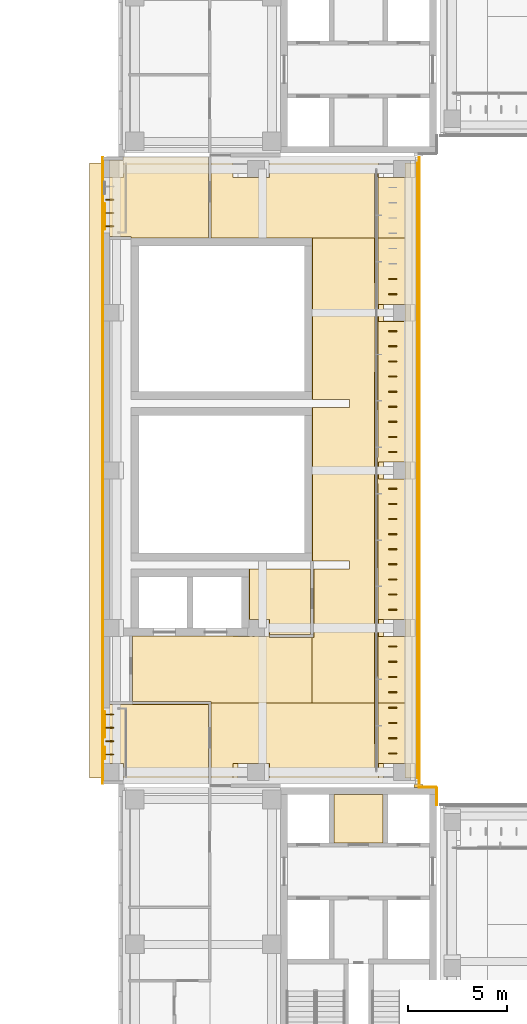
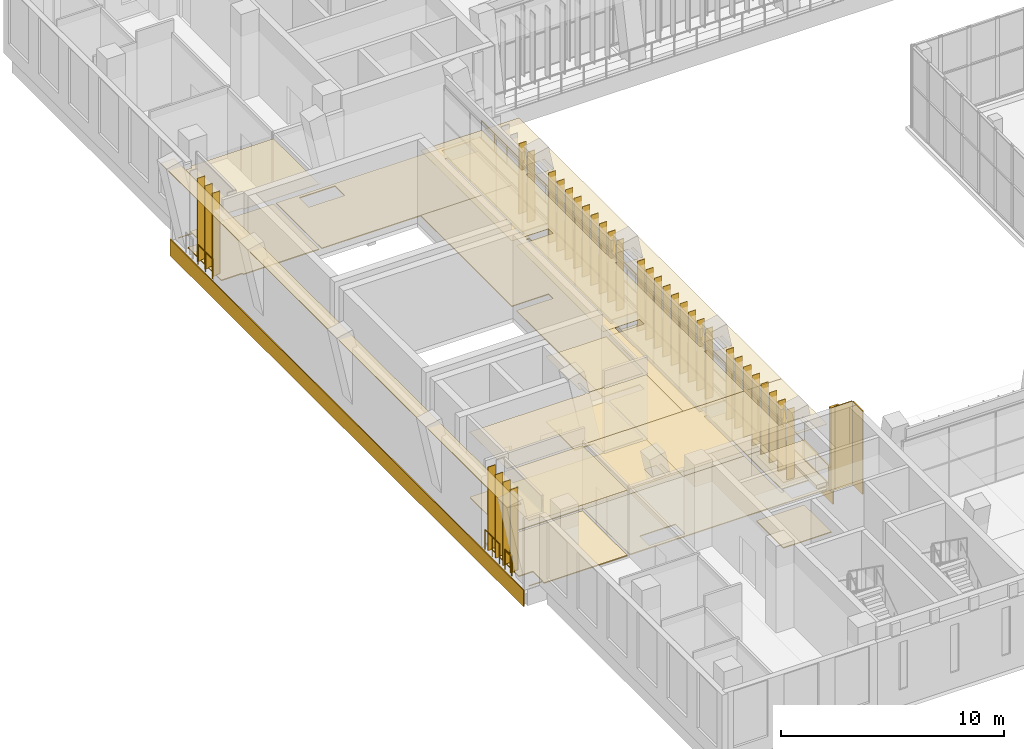
# One storey, part 79 of 92: 35 shading devices, 22 coverings, 4 railings.
"""IFC4 building model written with IfcOpenShell, lengths in metres."""

from ifc_helpers import new_model, si_unit, direction, frame, frame_2d, origin, origin_2d, place, context, subcontext, project, spatial, polyline, rectangle, circle, outline, extrude, material, layer, layer_set, type_object, element, save


model = new_model("IFC4")

# Units and contexts
model_context = context("Model", 3, precision=1e-05, world=origin(), true_north=direction((0.0, 1.0)))
body_context = subcontext(model_context, "Body", "Model", "MODEL_VIEW")
ifc_project = project(units=[si_unit("LENGTHUNIT", "METRE"), si_unit("AREAUNIT", "SQUARE_METRE"), si_unit("VOLUMEUNIT", "CUBIC_METRE"), si_unit("PLANEANGLEUNIT", "RADIAN"), si_unit("MASSUNIT", "GRAM", prefix="KILO")], contexts=[model_context])

# Site, building, storey
site_placement = place(None, origin())
site = spatial("IfcSite", under=ifc_project, at=site_placement, CompositionType="ELEMENT")
building_placement = place(site_placement, origin())
building = spatial("IfcBuilding", under=site, at=building_placement, Name="Lantern Court Media Centre", CompositionType="ELEMENT")
storey_placement = place(building_placement, frame((0.0, 0.0, 4.800048828125)))
storey = spatial("IfcBuildingStorey", under=building, at=storey_placement, Name="L01", CompositionType="ELEMENT", Elevation=4.800048828125)

# Coverings
ifc_material_1 = material(Name="Carpet")
ifc_layer_1 = layer(ifc_material_1, 0.050048828125)
ifc_layer_set_1 = layer_set([ifc_layer_1], Name="Carpet")
covering_type_1 = type_object("IfcCoveringType", Name="Carpet floor finish", PredefinedType="FLOORING", material=ifc_layer_set_1)
covering_1_placement = place(storey_placement, origin())
element("IfcCovering", 1, at=covering_1_placement, inside=storey, type_object=covering_type_1, Name="Projection Room Screen 3 floor finish", PredefinedType="FLOORING", context=body_context, shape_type="SweptSolid", body=[
    extrude(outline(polyline([(7.300048828125, 65.1298828125), (7.304931640625, 68.114990234375), (8.47998046875, 68.114990234375), (8.485107421875, 68.132568359375), (12.33251953125, 68.132568359375), (12.33251953125, 64.10009765625), (8.0048828125, 64.10009765625), (8.0009765625, 64.244873046875), (7.300048828125, 64.2451171875), (7.300048828125, 64.27001953125), (8.030029296875, 64.27490234375), (8.02880859375, 65.128173828125), (7.300048828125, 65.1298828125)])), origin(), (0.0, 0.0, 1.0), 0.050048828125),
])
covering_2_placement = place(storey_placement, origin())
element("IfcCovering", 2, at=covering_2_placement, inside=storey, type_object=covering_type_1, Name="Projection Room Screen 4 floor finish", PredefinedType="FLOORING", context=body_context, shape_type="SweptSolid", body=[
    extrude(outline(polyline([(12.33251953125, 95.89990234375), (12.33251953125, 91.804931640625), (8.405029296875, 91.804931640625), (8.400390625, 91.885009765625), (7.304931640625, 91.885009765625), (7.300048828125, 94.8701171875), (8.02880859375, 94.871826171875), (8.030029296875, 95.72509765625), (7.300048828125, 95.72998046875), (7.300048828125, 95.7548828125), (8.0009765625, 95.755126953125), (8.0048828125, 95.89990234375), (12.33251953125, 95.89990234375)])), origin(), (0.0, 0.0, 1.0), 0.050048828125),
])
ifc_material_2 = material(Name="Ceramic tile")
ifc_layer_2 = layer(ifc_material_2, 0.050048828125)
ifc_layer_set_2 = layer_set([ifc_layer_2], Name="Ceramic tile")
covering_type_2 = type_object("IfcCoveringType", Name="Ceramic tile floor finish", PredefinedType="FLOORING", material=ifc_layer_set_2)
covering_3_placement = place(storey_placement, origin())
element("IfcCovering", 3, at=covering_3_placement, inside=storey, type_object=covering_type_2, Name="Accessible WC floor finish", PredefinedType="FLOORING", context=body_context, shape_type="SweptSolid", body=[
    extrude(outline(polyline([(17.52001953125, 75.0), (17.52001953125, 71.679931640625), (15.429931640625, 71.679931640625), (15.427734375, 72.42919921875), (14.405029296875, 72.429931640625), (14.405029296875, 75.0), (17.52001953125, 75.0)])), origin(), (0.0, 0.0, 1.0), 0.050048828125),
])
covering_4_placement = place(storey_placement, origin())
element("IfcCovering", 4, at=covering_4_placement, inside=storey, type_object=covering_type_2, Name="Accessible WC floor finish", PredefinedType="FLOORING", context=body_context, shape_type="SweptSolid", body=[
    extrude(outline(polyline([(21.195068359375, 61.10498046875), (18.705078125, 61.10498046875), (18.705078125, 63.544921875), (21.195068359375, 63.544921875), (21.195068359375, 61.10498046875)])), origin(), (0.0, 0.0, 1.0), 0.050048828125),
])

# Railings
ifc_material_3 = material(Name="Powder-coated steel", Category="steel")
railing_type_1 = type_object("IfcRailingType", Name="Floor edge guard 1100", PredefinedType="GUARDRAIL", material=ifc_material_3)
railing_1_placement = place(storey_placement, frame((7.06005859375, 65.35888671875, 0.0)))
element("IfcRailing", 5, at=railing_1_placement, inside=storey, type_object=railing_type_1, Name="L01 edge guard 4", PredefinedType="GUARDRAIL", context=body_context, shape_type="SweptSolid", body=[
    extrude(circle(Radius=0.02392578125, at=origin_2d()), frame((0.0, 0.0, 1.076171875), z_axis=(0.0, 1.0, 0.0), x_axis=(-1.0, 0.0, 0.0)), (0.0, 0.0, 1.0), 0.59912109375),
    extrude(circle(Radius=0.02099609375, at=origin_2d()), origin(), (0.0, 0.0, 1.0), 1.052001953125),
    extrude(circle(Radius=0.02099609375, at=origin_2d()), frame((0.0, 0.59912109375, 0.0)), (0.0, 0.0, 1.0), 1.052001953125),
])
railing_2_placement = place(storey_placement, frame((7.06005859375, 66.4580078125, 0.0)))
element("IfcRailing", 6, at=railing_2_placement, inside=storey, type_object=railing_type_1, Name="L01 edge guard 5", PredefinedType="GUARDRAIL", context=body_context, shape_type="SweptSolid", body=[
    extrude(circle(Radius=0.02392578125, at=origin_2d()), frame((0.0, 0.0, 1.076171875), z_axis=(0.0, 1.0, 0.0), x_axis=(-1.0, 0.0, 0.0)), (0.0, 0.0, 1.0), 1.299072265625),
    extrude(circle(Radius=0.02099609375, at=origin_2d()), origin(), (0.0, 0.0, 1.0), 1.052001953125),
    extrude(circle(Radius=0.02099609375, at=origin_2d()), frame((0.0, 0.6494140625, 0.0)), (0.0, 0.0, 1.0), 1.052001953125),
    extrude(circle(Radius=0.02099609375, at=origin_2d()), frame((0.0, 1.299072265625, 0.0)), (0.0, 0.0, 1.0), 1.052001953125),
])
railing_3_placement = place(storey_placement, frame((7.06005859375, 92.236083984375, 0.0)))
element("IfcRailing", 7, at=railing_3_placement, inside=storey, type_object=railing_type_1, Name="L01 edge guard 6", PredefinedType="GUARDRAIL", context=body_context, shape_type="SweptSolid", body=[
    extrude(circle(Radius=0.02392578125, at=origin_2d()), frame((0.0, 0.0, 1.076171875), z_axis=(0.0, 1.0, 0.0), x_axis=(-1.0, 0.0, 0.0)), (0.0, 0.0, 1.0), 1.298828125),
    extrude(circle(Radius=0.02099609375, at=origin_2d()), origin(), (0.0, 0.0, 1.0), 1.052001953125),
    extrude(circle(Radius=0.02099609375, at=origin_2d()), frame((0.0, 0.6494140625, 0.0)), (0.0, 0.0, 1.0), 1.052001953125),
    extrude(circle(Radius=0.02099609375, at=origin_2d()), frame((0.0, 1.298828125, 0.0)), (0.0, 0.0, 1.0), 1.052001953125),
])

# Coverings
ifc_material_4 = material(Name="White glass-fibre reinforced cement cladding", Category="concrete")
ifc_layer_3 = layer(ifc_material_4, 0.050048828125)
ifc_layer_set_3 = layer_set([ifc_layer_3], Name="White glass-fibre reinforced cement cladding")
covering_type_3 = type_object("IfcCoveringType", Name="Floor-edge band 50", PredefinedType="CLADDING", material=ifc_layer_set_3)
for number, where, z_axis, x_axis, name in (
    (8, (6.97509765625, 64.10009765625, -0.900146484375), (0.0, 0.0, 1.0), (0.0, 1.0, 0.0), "Floor-edge band W outer L01"),
    (9, (23.02490234375, 64.10009765625, -0.900146484375), (0.0, 0.0, 1.0), (0.0, 1.0, 0.0), "Floor-edge band W inner L01"),
):
    element("IfcCovering", number, at=place(storey_placement, frame(where, z_axis=z_axis, x_axis=x_axis)), inside=storey, type_object=covering_type_3, Name=name, PredefinedType="CLADDING", context=body_context, shape_type="SweptSolid", body=[
        extrude(rectangle(XDim=31.7998046875, YDim=0.050048828125, at=frame_2d((15.89990234375, 0.0))), origin(), (0.0, 0.0, 1.0), 0.900146484375),
    ])

# Railing
ifc_material_5 = material(Name="Painted mild steel balustrade", Category="steel")
railing_type_2 = type_object("IfcRailingType", Name="Guard 1100 steel balustrade", PredefinedType="GUARDRAIL", material=ifc_material_5)
railing_4_placement = place(storey_placement, frame((22.949951171875, 64.39990234375, 0.0)))
element("IfcRailing", 10, at=railing_4_placement, inside=storey, type_object=railing_type_2, Name="Ledge guard W L01", PredefinedType="GUARDRAIL", context=body_context, shape_type="SweptSolid", body=[
    extrude(circle(Radius=0.02392578125, at=origin_2d()), frame((0.0, 0.0, 1.076171875), z_axis=(0.0, 1.0, 0.0), x_axis=(-1.0, 0.0, 0.0)), (0.0, 0.0, 1.0), 31.2001953125),
    extrude(circle(Radius=0.02099609375, at=origin_2d()), origin(), (0.0, 0.0, 1.0), 1.052001953125),
    extrude(circle(Radius=0.02099609375, at=origin_2d()), frame((0.0, 1.155517578125, 0.0)), (0.0, 0.0, 1.0), 1.052001953125),
    extrude(circle(Radius=0.02099609375, at=origin_2d()), frame((0.0, 2.31103515625, 0.0)), (0.0, 0.0, 1.0), 1.052001953125),
    extrude(circle(Radius=0.02099609375, at=origin_2d()), frame((0.0, 3.466796875, 0.0)), (0.0, 0.0, 1.0), 1.052001953125),
    extrude(circle(Radius=0.02099609375, at=origin_2d()), frame((0.0, 4.622314453125, 0.0)), (0.0, 0.0, 1.0), 1.052001953125),
    extrude(circle(Radius=0.02099609375, at=origin_2d()), frame((0.0, 5.77783203125, 0.0)), (0.0, 0.0, 1.0), 1.052001953125),
    extrude(circle(Radius=0.02099609375, at=origin_2d()), frame((0.0, 6.933349609375, 0.0)), (0.0, 0.0, 1.0), 1.052001953125),
    extrude(circle(Radius=0.02099609375, at=origin_2d()), frame((0.0, 8.0888671875, 0.0)), (0.0, 0.0, 1.0), 1.052001953125),
    extrude(circle(Radius=0.02099609375, at=origin_2d()), frame((0.0, 9.244384765625, 0.0)), (0.0, 0.0, 1.0), 1.052001953125),
    extrude(circle(Radius=0.02099609375, at=origin_2d()), frame((0.0, 10.400146484375, 0.0)), (0.0, 0.0, 1.0), 1.052001953125),
    extrude(circle(Radius=0.02099609375, at=origin_2d()), frame((0.0, 11.5556640625, 0.0)), (0.0, 0.0, 1.0), 1.052001953125),
    extrude(circle(Radius=0.02099609375, at=origin_2d()), frame((0.0, 12.711181640625, 0.0)), (0.0, 0.0, 1.0), 1.052001953125),
    extrude(circle(Radius=0.02099609375, at=origin_2d()), frame((0.0, 13.86669921875, 0.0)), (0.0, 0.0, 1.0), 1.052001953125),
    extrude(circle(Radius=0.02099609375, at=origin_2d()), frame((0.0, 15.022216796875, 0.0)), (0.0, 0.0, 1.0), 1.052001953125),
    extrude(circle(Radius=0.02099609375, at=origin_2d()), frame((0.0, 16.177978515625, 0.0)), (0.0, 0.0, 1.0), 1.052001953125),
    extrude(circle(Radius=0.02099609375, at=origin_2d()), frame((0.0, 17.33349609375, 0.0)), (0.0, 0.0, 1.0), 1.052001953125),
    extrude(circle(Radius=0.02099609375, at=origin_2d()), frame((0.0, 18.489013671875, 0.0)), (0.0, 0.0, 1.0), 1.052001953125),
    extrude(circle(Radius=0.02099609375, at=origin_2d()), frame((0.0, 19.64453125, 0.0)), (0.0, 0.0, 1.0), 1.052001953125),
    extrude(circle(Radius=0.02099609375, at=origin_2d()), frame((0.0, 20.800048828125, 0.0)), (0.0, 0.0, 1.0), 1.052001953125),
    extrude(circle(Radius=0.02099609375, at=origin_2d()), frame((0.0, 21.955810546875, 0.0)), (0.0, 0.0, 1.0), 1.052001953125),
    extrude(circle(Radius=0.02099609375, at=origin_2d()), frame((0.0, 23.111328125, 0.0)), (0.0, 0.0, 1.0), 1.052001953125),
    extrude(circle(Radius=0.02099609375, at=origin_2d()), frame((0.0, 24.266845703125, 0.0)), (0.0, 0.0, 1.0), 1.052001953125),
    extrude(circle(Radius=0.02099609375, at=origin_2d()), frame((0.0, 25.42236328125, 0.0)), (0.0, 0.0, 1.0), 1.052001953125),
    extrude(circle(Radius=0.02099609375, at=origin_2d()), frame((0.0, 26.577880859375, 0.0)), (0.0, 0.0, 1.0), 1.052001953125),
    extrude(circle(Radius=0.02099609375, at=origin_2d()), frame((0.0, 27.7333984375, 0.0)), (0.0, 0.0, 1.0), 1.052001953125),
    extrude(circle(Radius=0.02099609375, at=origin_2d()), frame((0.0, 28.88916015625, 0.0)), (0.0, 0.0, 1.0), 1.052001953125),
    extrude(circle(Radius=0.02099609375, at=origin_2d()), frame((0.0, 30.044677734375, 0.0)), (0.0, 0.0, 1.0), 1.052001953125),
    extrude(circle(Radius=0.02099609375, at=origin_2d()), frame((0.0, 31.2001953125, 0.0)), (0.0, 0.0, 1.0), 1.052001953125),
])

# Coverings
ifc_material_6 = material(Name="Honed limestone cladding", Category="masonry")
ifc_layer_4 = layer(ifc_material_6, 0.050048828125)
ifc_layer_set_4 = layer_set([ifc_layer_4], Name="Honed limestone cladding")
covering_type_4 = type_object("IfcCoveringType", Name="Limestone cladding panel 50", PredefinedType="CLADDING", material=ifc_layer_set_4)
for number, where, z_axis, x_axis, name in (
    (11, (23.925048828125, 63.0, 0.0), (0.0, 0.0, 1.0), (0.0, 1.0, 0.0), "Limestone joint cladding S-SW L01"),
    (12, (23.0, 63.925048828125, 0.0), (0.0, 0.0, 1.0), (1.0, 0.0, 0.0), "Limestone joint cladding W-SW L01"),
):
    element("IfcCovering", number, at=place(storey_placement, frame(where, z_axis=z_axis, x_axis=x_axis)), inside=storey, type_object=covering_type_4, Name=name, PredefinedType="CLADDING", context=body_context, shape_type="SweptSolid", body=[
        extrude(rectangle(XDim=0.89990234375, YDim=0.050048828125, at=frame_2d((0.449951171875, 0.0))), origin(), (0.0, 0.0, 1.0), 4.579833984375),
    ])
ifc_layer_5 = layer(ifc_material_6, 0.14990234375)
ifc_layer_set_5 = layer_set([ifc_layer_5], Name="Honed limestone cladding")
covering_type_5 = type_object("IfcCoveringType", Name="Limestone pilaster cladding 150", PredefinedType="CLADDING", material=ifc_layer_set_5)
covering_5_placement = place(storey_placement, frame((22.77490234375, 63.97509765625, 0.0), z_axis=(0.0, 0.0, 1.0), x_axis=(1.0, 0.0, 0.0)))
element("IfcCovering", 13, at=covering_5_placement, inside=storey, type_object=covering_type_5, Name="Limestone pilaster rib", PredefinedType="CLADDING", context=body_context, shape_type="SweptSolid", body=[
    extrude(rectangle(XDim=0.4501953125, YDim=0.14990234375, at=frame_2d((0.22509765625, 0.0))), origin(), (0.0, 0.0, 1.0), 4.579833984375),
])
ifc_material_7 = material(Name="Planting substrate")
ifc_layer_6 = layer(ifc_material_7, 0.199951171875)
ifc_layer_set_6 = layer_set([ifc_layer_6], Name="Planting substrate")
covering_type_6 = type_object("IfcCoveringType", Name="Planted ledge build-up 200", PredefinedType="ROOFING", material=ifc_layer_set_6)
covering_6_placement = place(storey_placement, origin())
element("IfcCovering", 14, at=covering_6_placement, inside=storey, type_object=covering_type_6, Name="Planted ledge W L01", PredefinedType="ROOFING", context=body_context, shape_type="SweptSolid", body=[
    extrude(outline(polyline([(22.85009765625, 64.39990234375), (22.85009765625, 95.60009765625), (22.320068359375, 95.60009765625), (22.320068359375, 64.39990234375), (22.85009765625, 64.39990234375)])), origin(), (0.0, 0.0, 1.0), 0.199951171875),
])
ifc_material_8 = material(Name="White fibre cement soffit board")
ifc_layer_7 = layer(ifc_material_8, 0.0400390625)
ifc_layer_set_7 = layer_set([ifc_layer_7], Name="White fibre cement soffit board")
covering_type_7 = type_object("IfcCoveringType", Name="Soffit lining 40", PredefinedType="CLADDING", material=ifc_layer_set_7)
covering_7_placement = place(storey_placement, frame((6.64990234375, 64.39990234375, 4.5400390625), z_axis=(0.0, 0.0, 1.0), x_axis=(0.0, 1.0, 0.0)))
element("IfcCovering", 15, at=covering_7_placement, inside=storey, type_object=covering_type_7, Name="Soffit lining W L01", PredefinedType="CLADDING", context=body_context, shape_type="SweptSolid", body=[
    extrude(rectangle(XDim=31.2001953125, YDim=0.699951171875, at=frame_2d((15.60009765625, 0.0))), origin(), (0.0, 0.0, 1.0), 0.039794921875),
])
ifc_material_9 = material(Name="Mineral fibre ceiling tile")
ifc_layer_8 = layer(ifc_material_9, 0.02001953125)
ifc_layer_set_8 = layer_set([ifc_layer_8], Name="Mineral fibre ceiling tile")
covering_type_8 = type_object("IfcCoveringType", Name="Suspended ceiling tile", PredefinedType="CEILING", material=ifc_layer_set_8)
covering_8_placement = place(storey_placement, frame((0.0, 0.0, 3.599853515625)))
element("IfcCovering", 16, at=covering_8_placement, inside=storey, type_object=covering_type_8, Name="Projection Room Screen 3 ceiling", PredefinedType="CEILING", context=body_context, shape_type="SweptSolid", body=[
    extrude(outline(polyline([(7.304443359375, 68.199951171875), (7.304931640625, 68.119384765625), (8.47998046875, 68.119384765625), (8.48046875, 68.136962890625), (12.3369140625, 68.136962890625), (12.3369140625, 64.10009765625), (8.00048828125, 64.10009765625), (8.0, 64.240478515625), (7.300048828125, 64.240478515625), (7.304443359375, 68.199951171875)])), origin(), (0.0, 0.0, 1.0), 0.02001953125),
])
covering_9_placement = place(storey_placement, frame((0.0, 0.0, 3.599853515625)))
element("IfcCovering", 17, at=covering_9_placement, inside=storey, type_object=covering_type_8, Name="End Lobby ceiling", PredefinedType="CEILING", context=body_context, shape_type="SweptSolid", body=[
    extrude(outline(polyline([(22.699951171875, 68.199951171875), (22.699951171875, 64.10009765625), (12.462890625, 64.1005859375), (12.462890625, 68.199951171875), (20.7744140625, 68.199951171875), (20.77490234375, 64.8994140625), (20.925537109375, 64.89990234375), (20.925537109375, 68.199951171875), (22.699951171875, 68.199951171875)]), holes=[polyline([(22.072998046875, 64.2744140625), (22.073486328125, 65.125), (21.974853515625, 65.12548828125), (21.974609375, 64.27490234375), (22.072998046875, 64.2744140625)]), polyline([(21.825439453125, 65.125), (21.222412109375, 65.125244140625), (21.22265625, 64.274658203125), (21.825439453125, 64.274658203125), (21.825439453125, 65.125)]), polyline([(14.6728515625, 64.2744140625), (14.67333984375, 65.125), (14.574951171875, 65.12548828125), (14.574462890625, 64.27490234375), (14.6728515625, 64.2744140625)]), polyline([(14.425537109375, 65.125), (13.822509765625, 65.125244140625), (13.82275390625, 64.274658203125), (14.425537109375, 64.274658203125), (14.425537109375, 65.125)])]), origin(), (0.0, 0.0, 1.0), 0.02001953125),
])
covering_10_placement = place(storey_placement, frame((0.0, 0.0, 3.599853515625)))
element("IfcCovering", 18, at=covering_10_placement, inside=storey, type_object=covering_type_8, Name="Projection Room Screen 4 ceiling", PredefinedType="CEILING", context=body_context, shape_type="SweptSolid", body=[
    extrude(outline(polyline([(12.39990234375, 91.800537109375), (8.400390625, 91.800537109375), (8.400146484375, 91.880615234375), (7.304931640625, 91.880615234375), (7.300537109375, 91.800048828125), (7.300048828125, 95.759521484375), (8.0, 95.759521484375), (8.00048828125, 95.89990234375), (12.3369140625, 95.89990234375), (12.3369140625, 91.804931640625), (12.39990234375, 91.800537109375)])), origin(), (0.0, 0.0, 1.0), 0.02001953125),
])
covering_11_placement = place(storey_placement, frame((0.0, 0.0, 3.599853515625)))
element("IfcCovering", 19, at=covering_11_placement, inside=storey, type_object=covering_type_8, Name="Lift Lobby ceiling", PredefinedType="CEILING", context=body_context, shape_type="SweptSolid", body=[
    extrude(outline(polyline([(17.60009765625, 68.199951171875), (12.462890625, 68.199951171875), (12.46240234375, 68.262939453125), (8.48046875, 68.262939453125), (8.48046875, 71.594970703125), (8.39990234375, 71.599609375), (13.822509765625, 71.599609375), (13.822998046875, 71.574462890625), (14.425048828125, 71.574462890625), (14.425537109375, 71.599609375), (14.574462890625, 71.60009765625), (14.574951171875, 71.574462890625), (14.6728515625, 71.574462890625), (14.67333984375, 71.60009765625), (15.429443359375, 71.60009765625), (15.429931640625, 71.5244140625), (17.60009765625, 71.5244140625), (17.60009765625, 68.199951171875)])), origin(), (0.0, 0.0, 1.0), 0.02001953125),
])
covering_12_placement = place(storey_placement, frame((0.0, 0.0, 3.599853515625)))
element("IfcCovering", 20, at=covering_12_placement, inside=storey, type_object=covering_type_8, Name="Accessible WC ceiling", PredefinedType="CEILING", context=body_context, shape_type="SweptSolid", body=[
    extrude(outline(polyline([(17.5244140625, 75.0), (17.5244140625, 71.675537109375), (15.429931640625, 71.675537109375), (15.429443359375, 71.60009765625), (14.67333984375, 71.60009765625), (14.67333984375, 72.425048828125), (14.574951171875, 72.425537109375), (14.574462890625, 71.60009765625), (14.512939453125, 71.60009765625), (14.512939453125, 72.0), (14.425537109375, 72.00048828125), (14.425537109375, 72.425048828125), (14.400390625, 72.425537109375), (14.400390625, 75.0), (17.5244140625, 75.0)])), origin(), (0.0, 0.0, 1.0), 0.02001953125),
])
covering_13_placement = place(storey_placement, frame((0.0, 0.0, 3.599853515625)))
element("IfcCovering", 21, at=covering_13_placement, inside=storey, type_object=covering_type_8, Name="Cinema Lobby ceiling", PredefinedType="CEILING", context=body_context, shape_type="SweptSolid", body=[
    extrude(outline(polyline([(17.60009765625, 68.199951171875), (17.60009765625, 71.5244140625), (17.675537109375, 71.52490234375), (17.675537109375, 75.0), (19.5, 75.0), (19.5, 75.39990234375), (17.6005859375, 75.400390625), (17.6005859375, 83.199951171875), (19.5, 83.199951171875), (19.5, 83.60009765625), (17.6005859375, 83.60009765625), (17.6005859375, 91.800048828125), (20.7744140625, 91.800048828125), (20.77490234375, 88.199462890625), (20.925537109375, 88.199951171875), (20.925537109375, 91.800048828125), (22.699951171875, 91.800048828125), (22.699951171875, 68.199951171875), (20.925537109375, 68.199951171875), (20.925048828125, 71.800537109375), (20.7744140625, 71.800048828125), (20.7744140625, 68.199951171875), (17.60009765625, 68.199951171875)]), holes=[polyline([(22.072998046875, 87.574462890625), (22.073486328125, 88.425048828125), (21.974853515625, 88.425537109375), (21.974609375, 87.574951171875), (22.072998046875, 87.574462890625)]), polyline([(22.072998046875, 79.574462890625), (22.073486328125, 80.425048828125), (21.974853515625, 80.425537109375), (21.974609375, 79.574951171875), (22.072998046875, 79.574462890625)]), polyline([(22.072998046875, 71.574462890625), (22.073486328125, 72.425048828125), (21.974853515625, 72.425537109375), (21.974609375, 71.574951171875), (22.072998046875, 71.574462890625)]), polyline([(21.825439453125, 72.425048828125), (21.222412109375, 72.42529296875), (21.22265625, 71.574462890625), (21.825439453125, 71.57470703125), (21.825439453125, 72.425048828125)]), polyline([(21.825439453125, 88.425048828125), (21.222412109375, 88.42529296875), (21.22265625, 87.574462890625), (21.825439453125, 87.57470703125), (21.825439453125, 88.425048828125)]), polyline([(21.825439453125, 80.425048828125), (21.222412109375, 80.42529296875), (21.22265625, 79.574462890625), (21.825439453125, 79.57470703125), (21.825439453125, 80.425048828125)]), polyline([(20.7744140625, 72.199951171875), (20.925537109375, 72.199951171875), (20.925048828125, 79.800537109375), (20.7744140625, 79.800048828125), (20.7744140625, 72.199951171875)]), polyline([(20.7744140625, 80.199951171875), (20.925537109375, 80.199951171875), (20.925048828125, 87.800537109375), (20.7744140625, 87.800048828125), (20.7744140625, 80.199951171875)])]), origin(), (0.0, 0.0, 1.0), 0.02001953125),
])
covering_14_placement = place(storey_placement, frame((0.0, 0.0, 3.599853515625)))
element("IfcCovering", 22, at=covering_14_placement, inside=storey, type_object=covering_type_8, Name="Accessible WC ceiling", PredefinedType="CEILING", context=body_context, shape_type="SweptSolid", body=[
    extrude(outline(polyline([(21.199462890625, 61.1005859375), (18.700439453125, 61.1005859375), (18.700439453125, 63.549560546875), (21.199462890625, 63.549560546875), (21.199462890625, 61.1005859375)])), origin(), (0.0, 0.0, 1.0), 0.02001953125),
])
ifc_material_10 = material(Name="Terrazzo")
ifc_layer_9 = layer(ifc_material_10, 0.050048828125)
ifc_layer_set_9 = layer_set([ifc_layer_9], Name="Terrazzo")
covering_type_9 = type_object("IfcCoveringType", Name="Terrazzo floor finish", PredefinedType="FLOORING", material=ifc_layer_set_9)
covering_15_placement = place(storey_placement, origin())
element("IfcCovering", 23, at=covering_15_placement, inside=storey, type_object=covering_type_9, Name="End Lobby floor finish", PredefinedType="FLOORING", context=body_context, shape_type="SweptSolid", body=[
    extrude(outline(polyline([(22.699951171875, 64.10009765625), (12.467529296875, 64.10498046875), (12.467529296875, 68.199951171875), (20.77001953125, 68.199951171875), (20.77490234375, 64.89501953125), (20.929931640625, 64.89990234375), (20.929931640625, 68.199951171875), (22.699951171875, 68.199951171875), (22.699951171875, 65.1298828125), (20.969970703125, 65.125), (20.97265625, 64.2705078125), (22.699951171875, 64.27001953125), (22.699951171875, 64.10009765625)]), holes=[polyline([(13.570068359375, 64.27490234375), (15.427001953125, 64.270263671875), (15.4296875, 65.126953125), (13.572998046875, 65.129638671875), (13.570068359375, 64.27490234375)])]), origin(), (0.0, 0.0, 1.0), 0.050048828125),
])
covering_16_placement = place(storey_placement, origin())
element("IfcCovering", 24, at=covering_16_placement, inside=storey, type_object=covering_type_9, Name="End Lobby floor finish", PredefinedType="FLOORING", context=body_context, shape_type="SweptSolid", body=[
    extrude(outline(polyline([(20.77001953125, 91.800048828125), (12.467529296875, 91.804931640625), (12.467529296875, 95.89501953125), (22.699951171875, 95.89990234375), (22.699951171875, 95.72998046875), (20.969970703125, 95.72509765625), (20.97265625, 94.87060546875), (22.699951171875, 94.8701171875), (22.699951171875, 91.800048828125), (20.929931640625, 91.800048828125), (20.925048828125, 95.10498046875), (20.77001953125, 95.10009765625), (20.77001953125, 91.800048828125)]), holes=[polyline([(13.570068359375, 94.875), (15.427001953125, 94.870361328125), (15.4296875, 95.726806640625), (13.572998046875, 95.729736328125), (13.570068359375, 94.875)])]), origin(), (0.0, 0.0, 1.0), 0.050048828125),
])
covering_17_placement = place(storey_placement, origin())
element("IfcCovering", 25, at=covering_17_placement, inside=storey, type_object=covering_type_9, Name="Lift Lobby floor finish", PredefinedType="FLOORING", context=body_context, shape_type="SweptSolid", body=[
    extrude(outline(polyline([(17.60009765625, 68.199951171875), (12.467529296875, 68.199951171875), (12.46240234375, 68.267578125), (8.485107421875, 68.267578125), (8.485107421875, 71.594970703125), (13.570068359375, 71.594970703125), (13.574951171875, 71.570068359375), (15.425048828125, 71.570068359375), (15.429931640625, 71.52001953125), (17.60009765625, 71.52001953125), (17.60009765625, 68.199951171875)])), origin(), (0.0, 0.0, 1.0), 0.050048828125),
])
covering_18_placement = place(storey_placement, origin())
element("IfcCovering", 26, at=covering_18_placement, inside=storey, type_object=covering_type_9, Name="Cinema Lobby floor finish", PredefinedType="FLOORING", context=body_context, shape_type="SweptSolid", body=[
    extrude(outline(polyline([(17.60009765625, 68.199951171875), (17.60009765625, 71.52001953125), (17.679931640625, 71.52490234375), (17.679931640625, 75.0), (19.5, 75.0), (19.5, 75.39990234375), (17.60498046875, 75.405029296875), (17.60498046875, 83.199951171875), (19.5, 83.199951171875), (19.5, 83.60009765625), (17.60498046875, 83.60009765625), (17.60498046875, 91.800048828125), (20.77001953125, 91.800048828125), (20.77490234375, 88.195068359375), (20.929931640625, 88.199951171875), (20.929931640625, 91.800048828125), (22.699951171875, 91.800048828125), (22.699951171875, 88.429931640625), (20.969970703125, 88.425048828125), (20.97265625, 87.570556640625), (22.699951171875, 87.570068359375), (22.699951171875, 80.429931640625), (20.969970703125, 80.425048828125), (20.97265625, 79.570556640625), (22.699951171875, 79.570068359375), (22.699951171875, 72.429931640625), (20.969970703125, 72.425048828125), (20.97265625, 71.570556640625), (22.699951171875, 71.570068359375), (22.699951171875, 68.199951171875), (20.929931640625, 68.199951171875), (20.925048828125, 71.804931640625), (20.77001953125, 71.800048828125), (20.77001953125, 68.199951171875), (17.60009765625, 68.199951171875)]), holes=[polyline([(20.925048828125, 80.195068359375), (20.929931640625, 87.800048828125), (20.77490234375, 87.804931640625), (20.77001953125, 80.199951171875), (20.925048828125, 80.195068359375)]), polyline([(20.77001953125, 72.199951171875), (20.929931640625, 72.199951171875), (20.925048828125, 79.804931640625), (20.77001953125, 79.800048828125), (20.77001953125, 72.199951171875)])]), origin(), (0.0, 0.0, 1.0), 0.050048828125),
])

# Shading devices
ifc_material_11 = material(Name="Bronze anodised aluminium louvre", Category="aluminium")
ifc_layer_10 = layer(ifc_material_11, 0.0400390625)
ifc_layer_set_10 = layer_set([ifc_layer_10], Name="Bronze anodised aluminium louvre")
shading_device_type_1 = type_object("IfcShadingDeviceType", Name="Vertical louvre 40x400 full storey", PredefinedType="USERDEFINED", material=ifc_layer_set_10)
for number, where, z_axis, x_axis, name in (
    (27, (7.320068359375, 65.58740234375, 0.0), (0.0, 0.0, 1.0), (1.0, 0.0, 0.0), "Vertical louvre W outer L01"),
    (28, (7.320068359375, 66.262451171875, 0.0), (0.0, 0.0, 1.0), (1.0, 0.0, 0.0), "Vertical louvre W outer L01"),
    (29, (7.320068359375, 66.9375, 0.0), (0.0, 0.0, 1.0), (1.0, 0.0, 0.0), "Vertical louvre W outer L01"),
    (30, (7.320068359375, 67.612548828125, 0.0), (0.0, 0.0, 1.0), (1.0, 0.0, 0.0), "Vertical louvre W outer L01"),
    (31, (7.320068359375, 92.387451171875, 0.0), (0.0, 0.0, 1.0), (1.0, 0.0, 0.0), "Vertical louvre W outer L01"),
    (32, (7.320068359375, 93.0625, 0.0), (0.0, 0.0, 1.0), (1.0, 0.0, 0.0), "Vertical louvre W outer L01"),
    (33, (7.320068359375, 93.737548828125, 0.0), (0.0, 0.0, 1.0), (1.0, 0.0, 0.0), "Vertical louvre W outer L01"),
):
    element("IfcShadingDevice", number, at=place(storey_placement, frame(where, z_axis=z_axis, x_axis=x_axis)), inside=storey, type_object=shading_device_type_1, Name=name, ObjectType="VERTICAL LOUVRE", PredefinedType="USERDEFINED", context=body_context, shape_type="SweptSolid", body=[
        extrude(rectangle(XDim=0.39990234375, YDim=0.0400390625, at=origin_2d()), origin(), (0.0, 0.0, 1.0), 4.580078125),
    ])
ifc_layer_11 = layer(ifc_material_11, 0.0400390625)
ifc_layer_set_11 = layer_set([ifc_layer_11], Name="Bronze anodised aluminium louvre")
shading_device_type_2 = type_object("IfcShadingDeviceType", Name="Vertical louvre 40x400 under beam", PredefinedType="USERDEFINED", material=ifc_layer_set_11)
for number, where, z_axis, x_axis, name in (
    (34, (21.679931640625, 65.637451171875, 0.0), (0.0, 0.0, 1.0), (1.0, 0.0, 0.0), "Vertical louvre W inner L01"),
    (35, (21.679931640625, 66.41259765625, 0.0), (0.0, 0.0, 1.0), (1.0, 0.0, 0.0), "Vertical louvre W inner L01"),
    (36, (21.679931640625, 67.1875, 0.0), (0.0, 0.0, 1.0), (1.0, 0.0, 0.0), "Vertical louvre W inner L01"),
    (37, (21.679931640625, 67.96240234375, 0.0), (0.0, 0.0, 1.0), (1.0, 0.0, 0.0), "Vertical louvre W inner L01"),
    (38, (21.679931640625, 68.737548828125, 0.0), (0.0, 0.0, 1.0), (1.0, 0.0, 0.0), "Vertical louvre W inner L01"),
    (39, (21.679931640625, 69.512451171875, 0.0), (0.0, 0.0, 1.0), (1.0, 0.0, 0.0), "Vertical louvre W inner L01"),
    (40, (21.679931640625, 70.28759765625, 0.0), (0.0, 0.0, 1.0), (1.0, 0.0, 0.0), "Vertical louvre W inner L01"),
    (41, (21.679931640625, 71.0625, 0.0), (0.0, 0.0, 1.0), (1.0, 0.0, 0.0), "Vertical louvre W inner L01"),
    (42, (21.679931640625, 72.933349609375, 0.0), (0.0, 0.0, 1.0), (1.0, 0.0, 0.0), "Vertical louvre W inner L01"),
    (43, (21.679931640625, 73.699951171875, 0.0), (0.0, 0.0, 1.0), (1.0, 0.0, 0.0), "Vertical louvre W inner L01"),
    (44, (21.679931640625, 74.466552734375, 0.0), (0.0, 0.0, 1.0), (1.0, 0.0, 0.0), "Vertical louvre W inner L01"),
    (45, (21.679931640625, 75.2333984375, 0.0), (0.0, 0.0, 1.0), (1.0, 0.0, 0.0), "Vertical louvre W inner L01"),
    (46, (21.679931640625, 76.0, 0.0), (0.0, 0.0, 1.0), (1.0, 0.0, 0.0), "Vertical louvre W inner L01"),
    (47, (21.679931640625, 76.7666015625, 0.0), (0.0, 0.0, 1.0), (1.0, 0.0, 0.0), "Vertical louvre W inner L01"),
    (48, (21.679931640625, 77.533447265625, 0.0), (0.0, 0.0, 1.0), (1.0, 0.0, 0.0), "Vertical louvre W inner L01"),
    (49, (21.679931640625, 78.300048828125, 0.0), (0.0, 0.0, 1.0), (1.0, 0.0, 0.0), "Vertical louvre W inner L01"),
    (50, (21.679931640625, 79.066650390625, 0.0), (0.0, 0.0, 1.0), (1.0, 0.0, 0.0), "Vertical louvre W inner L01"),
    (51, (21.679931640625, 80.933349609375, 0.0), (0.0, 0.0, 1.0), (1.0, 0.0, 0.0), "Vertical louvre W inner L01"),
    (52, (21.679931640625, 81.699951171875, 0.0), (0.0, 0.0, 1.0), (1.0, 0.0, 0.0), "Vertical louvre W inner L01"),
    (53, (21.679931640625, 82.466552734375, 0.0), (0.0, 0.0, 1.0), (1.0, 0.0, 0.0), "Vertical louvre W inner L01"),
    (54, (21.679931640625, 83.2333984375, 0.0), (0.0, 0.0, 1.0), (1.0, 0.0, 0.0), "Vertical louvre W inner L01"),
    (55, (21.679931640625, 84.0, 0.0), (0.0, 0.0, 1.0), (1.0, 0.0, 0.0), "Vertical louvre W inner L01"),
    (56, (21.679931640625, 84.7666015625, 0.0), (0.0, 0.0, 1.0), (1.0, 0.0, 0.0), "Vertical louvre W inner L01"),
    (57, (21.679931640625, 85.533447265625, 0.0), (0.0, 0.0, 1.0), (1.0, 0.0, 0.0), "Vertical louvre W inner L01"),
    (58, (21.679931640625, 86.300048828125, 0.0), (0.0, 0.0, 1.0), (1.0, 0.0, 0.0), "Vertical louvre W inner L01"),
    (59, (21.679931640625, 87.066650390625, 0.0), (0.0, 0.0, 1.0), (1.0, 0.0, 0.0), "Vertical louvre W inner L01"),
    (60, (21.679931640625, 88.9375, 0.0), (0.0, 0.0, 1.0), (1.0, 0.0, 0.0), "Vertical louvre W inner L01"),
    (61, (21.679931640625, 89.71240234375, 0.0), (0.0, 0.0, 1.0), (1.0, 0.0, 0.0), "Vertical louvre W inner L01"),
):
    element("IfcShadingDevice", number, at=place(storey_placement, frame(where, z_axis=z_axis, x_axis=x_axis)), inside=storey, type_object=shading_device_type_2, Name=name, ObjectType="VERTICAL LOUVRE", PredefinedType="USERDEFINED", context=body_context, shape_type="SweptSolid", body=[
        extrude(rectangle(XDim=0.39990234375, YDim=0.0400390625, at=origin_2d()), origin(), (0.0, 0.0, 1.0), 3.89990234375),
    ])

save(model, "model.ifc")
